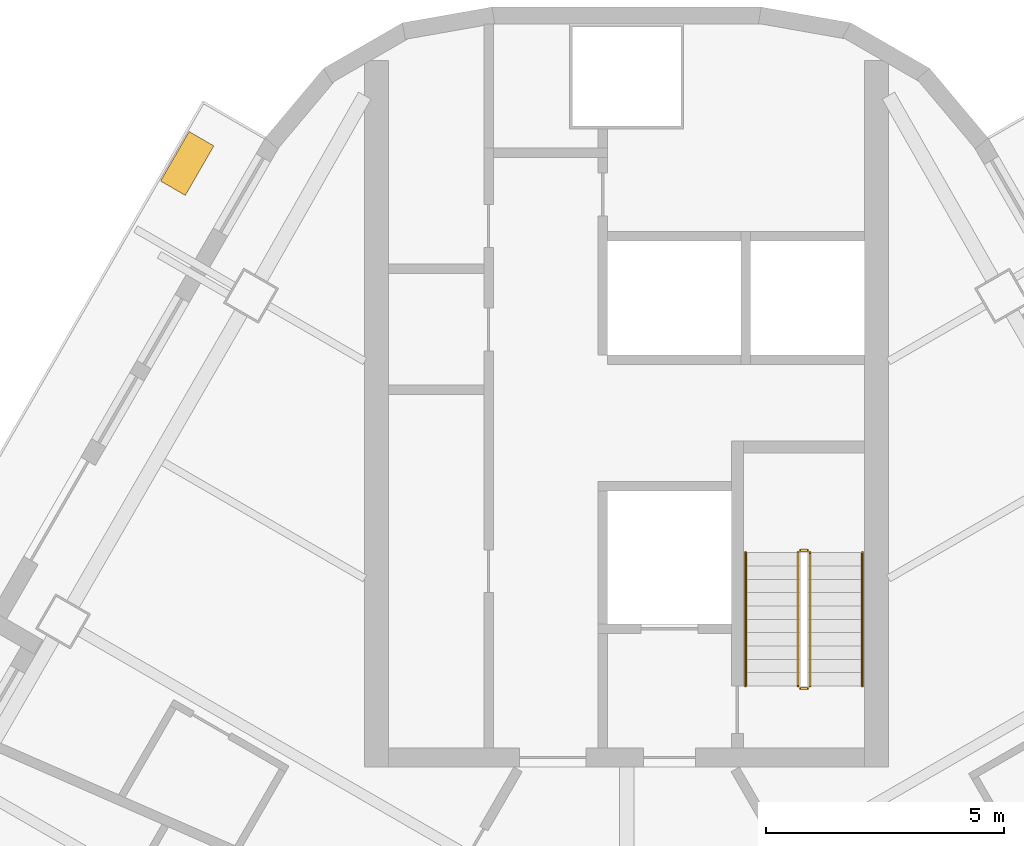
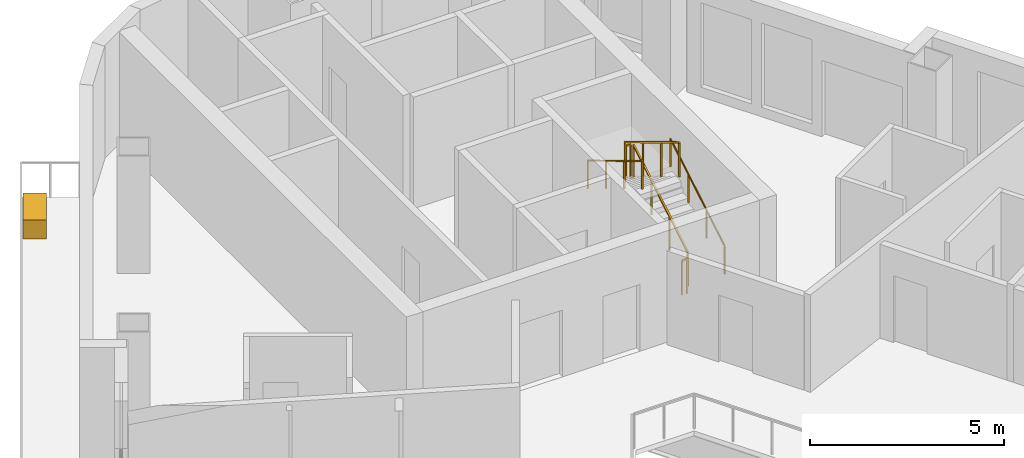
# One storey, part 14 of 14: 6 railings, 1 covering.
"""IFC4 building model written with IfcOpenShell, lengths in metres."""

from ifc_helpers import new_model, si_unit, direction, frame, origin, origin_2d, place, context, subcontext, project, spatial, rectangle, circle, extrude, material, type_object, element, save


model = new_model("IFC4")

# Units and contexts
model_context = context("Model", 3, precision=1e-05, world=origin(), true_north=direction((0.0, 1.0)))
body_context = subcontext(model_context, "Body", "Model", "MODEL_VIEW")
ifc_project = project(units=[si_unit("LENGTHUNIT", "METRE"), si_unit("AREAUNIT", "SQUARE_METRE"), si_unit("VOLUMEUNIT", "CUBIC_METRE"), si_unit("PLANEANGLEUNIT", "RADIAN"), si_unit("MASSUNIT", "GRAM", prefix="KILO")], contexts=[model_context])

# Site, building, storey
site_placement = place(None, origin())
site = spatial("IfcSite", under=ifc_project, at=site_placement, CompositionType="ELEMENT")
building_placement = place(site_placement, origin())
building = spatial("IfcBuilding", under=site, at=building_placement, Name="Apuvela Tower Hotel", CompositionType="ELEMENT")
storey_placement = place(building_placement, frame((0.0, 0.0, 179.89990234375)))
storey = spatial("IfcBuildingStorey", under=building, at=storey_placement, Name="L43", CompositionType="ELEMENT", Elevation=179.89990234375)

# Railings
ifc_material_1 = material(Name="Steel S275 balustrade", Category="steel")
railing_type_1 = type_object("IfcRailingType", Name="COR-GUARD-1100", PredefinedType="GUARDRAIL", material=ifc_material_1)
railing_1_placement = place(storey_placement, frame((3.85009765625, 14.60009765625, 0.168212890625)))
element("IfcRailing", 1, at=railing_1_placement, inside=storey, type_object=railing_type_1, Name="L43 ST1 stair guard 1", PredefinedType="GUARDRAIL", context=body_context, shape_type="SweptSolid", body=[
    extrude(rectangle(XDim=0.048095703125, YDim=0.048095703125, at=origin_2d()), frame((0.0, 0.0, 1.076171875), z_axis=(0.0, 0.857222391501, 0.514946377315), x_axis=(-1.0, 0.0, 0.0)), (0.0, 0.0, 1.0), 3.26611328125),
    extrude(rectangle(XDim=0.0419921875, YDim=0.0419921875, at=origin_2d()), origin(), (0.0, 0.0, 1.0), 1.052001953125),
    extrude(rectangle(XDim=0.0419921875, YDim=0.0419921875, at=origin_2d()), frame((0.0, 0.933349609375, 0.560546875)), (0.0, 0.0, 1.0), 1.052001953125),
    extrude(rectangle(XDim=0.0419921875, YDim=0.0419921875, at=origin_2d()), frame((0.0, 1.866455078125, 1.121337890625)), (0.0, 0.0, 1.0), 1.052001953125),
    extrude(rectangle(XDim=0.0419921875, YDim=0.0419921875, at=origin_2d()), frame((0.0, 2.7998046875, 1.681884765625)), (0.0, 0.0, 1.0), 1.052001953125),
])
railing_2_placement = place(storey_placement, frame((3.800048828125, 17.449951171875, 1.85009765625)))
element("IfcRailing", 2, at=railing_2_placement, inside=storey, type_object=railing_type_1, Name="L43 ST1 stair guard 2", PredefinedType="GUARDRAIL", context=body_context, shape_type="SweptSolid", body=[
    extrude(rectangle(XDim=0.048095703125, YDim=0.048095703125, at=origin_2d()), frame((0.0, 0.0, 1.076171875), z_axis=(-1.0, 0.0, 0.0), x_axis=(0.0, -1.0, 0.0)), (0.0, 0.0, 1.0), 0.150146484375),
    extrude(rectangle(XDim=0.0419921875, YDim=0.0419921875, at=origin_2d()), origin(), (0.0, 0.0, 1.0), 1.052001953125),
    extrude(rectangle(XDim=0.0419921875, YDim=0.0419921875, at=origin_2d()), frame((-0.150146484375, 0.0, 0.0)), (0.0, 0.0, 1.0), 1.052001953125),
])
railing_3_placement = place(storey_placement, frame((3.60009765625, 17.39990234375, 2.018310546875)))
element("IfcRailing", 3, at=railing_3_placement, inside=storey, type_object=railing_type_1, Name="L43 ST1 stair guard 3", PredefinedType="GUARDRAIL", context=body_context, shape_type="SweptSolid", body=[
    extrude(rectangle(XDim=0.048095703125, YDim=0.048095703125, at=origin_2d()), frame((0.0, 0.0, 1.076171875), z_axis=(0.0, -0.857222391501, 0.514946377315), x_axis=(1.0, 0.0, 0.0)), (0.0, 0.0, 1.0), 3.26611328125),
    extrude(rectangle(XDim=0.0419921875, YDim=0.0419921875, at=origin_2d()), origin(), (0.0, 0.0, 1.0), 1.052001953125),
    extrude(rectangle(XDim=0.0419921875, YDim=0.0419921875, at=origin_2d()), frame((0.0, -0.933349609375, 0.560546875)), (0.0, 0.0, 1.0), 1.052001953125),
    extrude(rectangle(XDim=0.0419921875, YDim=0.0419921875, at=origin_2d()), frame((0.0, -1.866455078125, 1.121337890625)), (0.0, 0.0, 1.0), 1.052001953125),
    extrude(rectangle(XDim=0.0419921875, YDim=0.0419921875, at=origin_2d()), frame((0.0, -2.7998046875, 1.681884765625)), (0.0, 0.0, 1.0), 1.052001953125),
])
railing_4_placement = place(storey_placement, frame((3.800048828125, 14.550048828125, 0.0)))
element("IfcRailing", 4, at=railing_4_placement, inside=storey, type_object=railing_type_1, Name="L43 ST1 stair guard 4", PredefinedType="GUARDRAIL", context=body_context, shape_type="SweptSolid", body=[
    extrude(rectangle(XDim=0.048095703125, YDim=0.048095703125, at=origin_2d()), frame((0.0, 0.0, 1.076171875), z_axis=(-1.0, 0.0, 0.0), x_axis=(0.0, -1.0, 0.0)), (0.0, 0.0, 1.0), 0.150146484375),
    extrude(rectangle(XDim=0.0419921875, YDim=0.0419921875, at=origin_2d()), origin(), (0.0, 0.0, 1.0), 1.052001953125),
    extrude(rectangle(XDim=0.0419921875, YDim=0.0419921875, at=origin_2d()), frame((-0.150146484375, 0.0, 0.0)), (0.0, 0.0, 1.0), 1.052001953125),
])
ifc_material_2 = material(Name="Stainless steel 316 handrail", Category="steel")
railing_type_2 = type_object("IfcRailingType", Name="COR-HANDRAIL-900", PredefinedType="HANDRAIL", material=ifc_material_2)
railing_5_placement = place(storey_placement, frame((4.949951171875, 14.60009765625, 0.168212890625)))
element("IfcRailing", 5, at=railing_5_placement, inside=storey, type_object=railing_type_2, Name="L43 ST1 stair handrail 1", PredefinedType="HANDRAIL", context=body_context, shape_type="SweptSolid", body=[
    extrude(circle(Radius=0.02392578125, at=origin_2d()), frame((0.0, 0.0, 0.8759765625), z_axis=(0.0, 0.857222391501, 0.514946377315), x_axis=(-1.0, 0.0, 0.0)), (0.0, 0.0, 1.0), 3.26611328125),
    extrude(rectangle(XDim=0.0419921875, YDim=0.0419921875, at=origin_2d()), origin(), (0.0, 0.0, 1.0), 0.851806640625),
    extrude(rectangle(XDim=0.0419921875, YDim=0.0419921875, at=origin_2d()), frame((0.0, 0.933349609375, 0.560546875)), (0.0, 0.0, 1.0), 0.851806640625),
    extrude(rectangle(XDim=0.0419921875, YDim=0.0419921875, at=origin_2d()), frame((0.0, 1.866455078125, 1.121337890625)), (0.0, 0.0, 1.0), 0.851806640625),
    extrude(rectangle(XDim=0.0419921875, YDim=0.0419921875, at=origin_2d()), frame((0.0, 2.7998046875, 1.681884765625)), (0.0, 0.0, 1.0), 0.851806640625),
])
railing_6_placement = place(storey_placement, frame((2.5, 17.39990234375, 2.018310546875)))
element("IfcRailing", 6, at=railing_6_placement, inside=storey, type_object=railing_type_2, Name="L43 ST1 stair handrail 2", PredefinedType="HANDRAIL", context=body_context, shape_type="SweptSolid", body=[
    extrude(circle(Radius=0.02392578125, at=origin_2d()), frame((0.0, 0.0, 0.8759765625), z_axis=(0.0, -0.857222391501, 0.514946377315), x_axis=(1.0, 0.0, 0.0)), (0.0, 0.0, 1.0), 3.26611328125),
    extrude(rectangle(XDim=0.0419921875, YDim=0.0419921875, at=origin_2d()), origin(), (0.0, 0.0, 1.0), 0.851806640625),
    extrude(rectangle(XDim=0.0419921875, YDim=0.0419921875, at=origin_2d()), frame((0.0, -0.933349609375, 0.560546875)), (0.0, 0.0, 1.0), 0.851806640625),
    extrude(rectangle(XDim=0.0419921875, YDim=0.0419921875, at=origin_2d()), frame((0.0, -1.866455078125, 1.121337890625)), (0.0, 0.0, 1.0), 0.851806640625),
    extrude(rectangle(XDim=0.0419921875, YDim=0.0419921875, at=origin_2d()), frame((0.0, -2.7998046875, 1.681884765625)), (0.0, 0.0, 1.0), 0.851806640625),
])

# Covering
ifc_material_3 = material(Name="Planting substrate and soil, planted")
covering_type = type_object("IfcCoveringType", Name="ENV-PLANTER-1200x600", PredefinedType="USERDEFINED", material=ifc_material_3)
covering_placement = place(storey_placement, frame((-9.228515625, 25.57568359375, 0.0), z_axis=(0.0, 0.0, 1.0), x_axis=(-0.5, -0.866025403784, 0.0)))
element("IfcCovering", 7, at=covering_placement, inside=storey, type_object=covering_type, Name="Planter NW4", ObjectType="PLANTER", PredefinedType="USERDEFINED", context=body_context, shape_type="SweptSolid", body=[
    extrude(rectangle(XDim=1.199951171875, YDim=0.60009765625, at=origin_2d()), origin(), (0.0, 0.0, 1.0), 0.60009765625),
])

save(model, "model.ifc")
